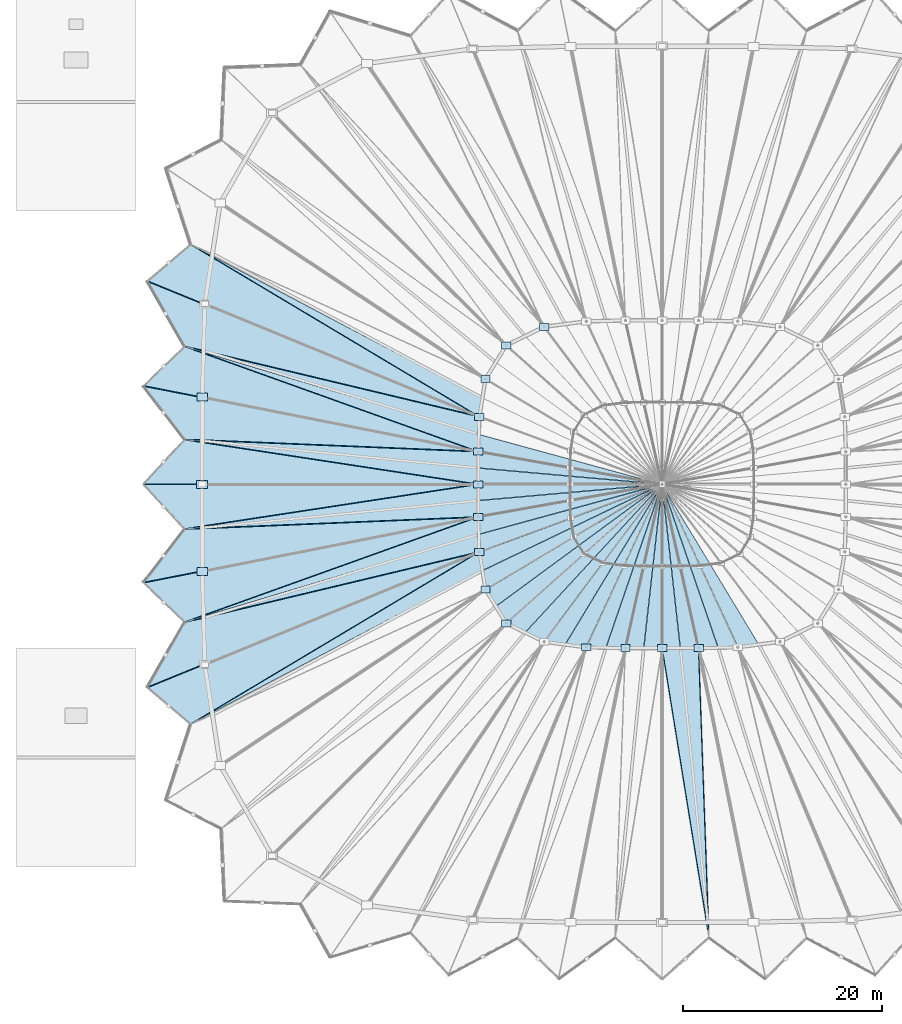
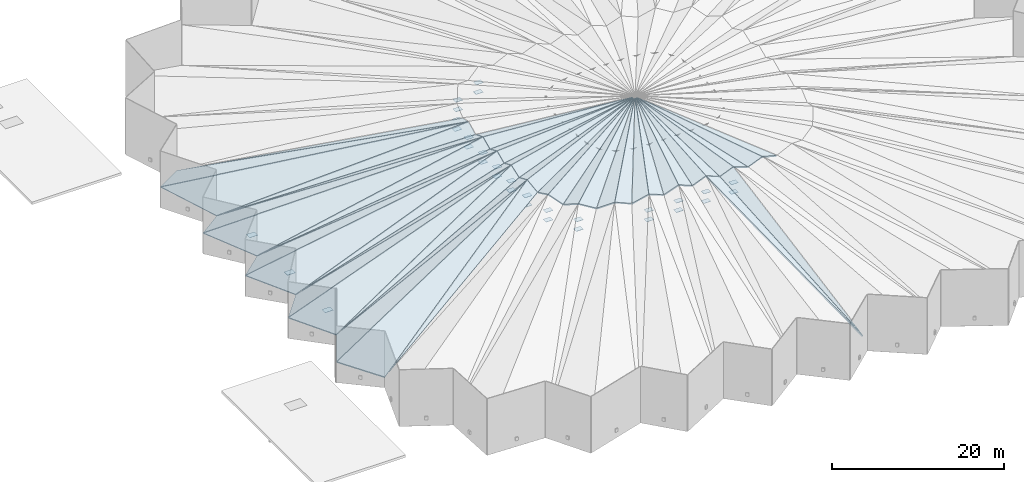
# One storey, part 29 of 41: 46 slabs, 31 plates.
"""IFC4 building model written with IfcOpenShell, lengths in metres."""

from ifc_helpers import new_model, si_unit, direction, frame, origin, origin_2d, place, context, subcontext, project, spatial, polyline, rectangle, outline, extrude, material, layer, layer_set, type_object, element, save


model = new_model("IFC4")

# Units and contexts
model_context = context("Model", 3, precision=1e-05, world=origin(), true_north=direction((0.0, 1.0)))
body_context = subcontext(model_context, "Body", "Model", "MODEL_VIEW")
ifc_project = project(units=[si_unit("LENGTHUNIT", "METRE"), si_unit("AREAUNIT", "SQUARE_METRE"), si_unit("VOLUMEUNIT", "CUBIC_METRE"), si_unit("PLANEANGLEUNIT", "RADIAN"), si_unit("MASSUNIT", "GRAM", prefix="KILO")], contexts=[model_context])

# Site, building, storey
site_placement = place(None, origin())
site = spatial("IfcSite", under=ifc_project, at=site_placement, CompositionType="ELEMENT")
building_placement = place(site_placement, origin())
building = spatial("IfcBuilding", under=site, at=building_placement, Name="Luwafu Chhajja Arena", CompositionType="ELEMENT")
storey_placement = place(building_placement, frame((0.0, 0.0, 29.699951171875)))
storey = spatial("IfcBuildingStorey", under=building, at=storey_placement, Name="RF", CompositionType="ELEMENT", Elevation=29.699951171875)

# Slabs
ifc_material_1 = material(Name="Precast concrete C40/50", Category="concrete")
ifc_layer_1 = layer(ifc_material_1, 0.14990234375, Name="Precast concrete C40/50")
ifc_layer_set_1 = layer_set([ifc_layer_1], Name="Precast concrete C40/50")
slab_type_1 = type_object("IfcSlabType", Name="Cable-Net Oculus Lightweight Roof Deck 150", PredefinedType="ROOF", material=ifc_layer_set_1)
slab_1_placement = place(storey_placement, frame((80.5703125, 54.5185546875, 6.908203125), z_axis=(0.00547318786, 0.392475323451, 0.919746250167), x_axis=(0.959214744966, -0.262011982217, 0.106098040578)))
element("IfcSlab", 1, at=slab_1_placement, inside=storey, type_object=slab_type_1, Name="Cable-Net Oculus Roof Panel 15OB", PredefinedType="ROOF", context=body_context, shape_type="SweptSolid", body=[
    extrude(outline(polyline([(0.0, 0.0), (18.878102522825447, 1.1102230246251565e-16), (0.48228186932920725, -1.81305914504829), (0.0, 0.0)])), origin(), (0.0, 0.0, -1.0), 0.14990234375),
])
slab_2_placement = place(storey_placement, frame((80.52001953125, 52.76318359375, 7.64404296875), z_axis=(-0.135900506909, -0.411780437345, 0.90109262767), x_axis=(0.982312584181, -0.174263138293, 0.068515294585)))
element("IfcSlab", 2, at=slab_2_placement, inside=storey, type_object=slab_type_1, Name="Cable-Net Oculus Roof Panel 16OA", PredefinedType="ROOF", context=body_context, shape_type="SweptSolid", body=[
    extrude(outline(polyline([(0.0, 0.0), (18.465026333242918, -4.440892098500626e-16), (0.22757186838997856, -1.7543758198881099), (0.0, 0.0)])), origin(), (0.0, 0.0, -1.0), 0.14990234375),
])
slab_3_placement = place(storey_placement, frame((80.517578125, 51.124267578125, 6.908447265625), z_axis=(-0.063288046732, 0.415072202615, 0.907584535874), x_axis=(0.99013102877, -0.087826897864, 0.109210722359)))
element("IfcSlab", 3, at=slab_3_placement, inside=storey, type_object=slab_type_1, Name="Cable-Net Oculus Roof Panel 16OB", PredefinedType="ROOF", context=body_context, shape_type="SweptSolid", body=[
    extrude(outline(polyline([(0.0, 0.0), (18.324397640619576, 1.1102230246251565e-16), (0.21904897133598988, -1.7560105143744689), (0.0, 0.0)])), origin(), (0.0, 0.0, -1.0), 0.14990234375),
])
slab_4_placement = place(storey_placement, frame((80.514892578125, 49.485107421875, 7.644287109375), z_axis=(-0.063288046732, -0.415072202615, 0.907584535874), x_axis=(0.997577527363, 0.0, 0.069563473897)))
element("IfcSlab", 4, at=slab_4_placement, inside=storey, type_object=slab_type_1, Name="Cable-Net Oculus Roof Panel 17OA", PredefinedType="ROOF", context=body_context, shape_type="SweptSolid", body=[
    extrude(outline(polyline([(0.0, 0.0), (18.190305752321002, 1.1102230246251565e-16), (-0.04850853455169257, -1.7689551437254394), (0.0, 0.0)])), origin(), (0.0, 0.0, -1.0), 0.14990234375),
])
slab_5_placement = place(storey_placement, frame((80.517578125, 47.845703125, 6.908447265625), z_axis=(-0.135900506909, 0.411780437345, 0.90109262767), x_axis=(0.990133349088, 0.087813454956, 0.109200495199)))
element("IfcSlab", 5, at=slab_5_placement, inside=storey, type_object=slab_type_1, Name="Cable-Net Oculus Roof Panel 17OB", PredefinedType="ROOF", context=body_context, shape_type="SweptSolid", body=[
    extrude(outline(polyline([(0.0, 0.0), (18.321642390216887, -2.220446049250313e-16), (-0.05853716861149626, -1.768105447246157), (0.0, 0.0)])), origin(), (0.0, 0.0, -1.0), 0.14990234375),
])
slab_6_placement = place(storey_placement, frame((80.5205078125, 46.206298828125, 7.64453125), z_axis=(0.00547318786, -0.392475323451, 0.919746250167), x_axis=(0.98231038407, 0.174273418727, 0.068520689379)))
element("IfcSlab", 6, at=slab_6_placement, inside=storey, type_object=slab_type_1, Name="Cable-Net Oculus Roof Panel 18OA", PredefinedType="ROOF", context=body_context, shape_type="SweptSolid", body=[
    extrude(outline(polyline([(0.0, 0.0), (18.484950662066755, 3.885780586188048e-16), (-0.302126167998403, -1.8516206532487998), (0.0, 0.0)])), origin(), (0.0, 0.0, -1.0), 0.14990234375),
])
slab_7_placement = place(storey_placement, frame((80.5712890625, 44.450439453125, 6.908203125), z_axis=(-0.203476377607, 0.379405244912, 0.902579095641), x_axis=(0.959211475435, 0.262023010062, 0.10610036565)))
element("IfcSlab", 7, at=slab_7_placement, inside=storey, type_object=slab_type_1, Name="Cable-Net Oculus Roof Panel 18OB", PredefinedType="ROOF", context=body_context, shape_type="SweptSolid", body=[
    extrude(outline(polyline([(0.0, 0.0), (18.87078572588229, 5.551115123125783e-16), (-0.3254190260449908, -1.8469014641178587), (0.0, 0.0)])), origin(), (0.0, 0.0, -1.0), 0.14990234375),
])
slab_8_placement = place(storey_placement, frame((80.623779296875, 42.6953125, 7.64501953125), z_axis=(0.066617737869, -0.357203291346, 0.93164794083), x_axis=(0.936011865229, 0.345791605933, 0.065650235458)))
element("IfcSlab", 8, at=slab_8_placement, inside=storey, type_object=slab_type_1, Name="Cable-Net Oculus Roof Panel 19OA", PredefinedType="ROOF", context=body_context, shape_type="SweptSolid", body=[
    extrude(outline(polyline([(0.0, 0.0), (19.31920789066764, -6.106226635438361e-16), (-0.4073061738520643, -1.9882484248027403), (0.0, 0.0)])), origin(), (0.0, 0.0, -1.0), 0.14990234375),
])
slab_9_placement = place(storey_placement, frame((80.9345703125, 40.798583984375, 6.90771484375), z_axis=(-0.256169574434, 0.318708073796, 0.912580030919), x_axis=(0.896638482247, 0.431053686903, 0.101154096118)))
element("IfcSlab", 9, at=slab_9_placement, inside=storey, type_object=slab_type_1, Name="Cable-Net Oculus Roof Panel 19OB", PredefinedType="ROOF", context=body_context, shape_type="SweptSolid", body=[
    extrude(outline(polyline([(0.0, 0.0), (19.817671738606244, 9.992007221626409e-16), (-0.4555029679633833, -1.9766752891986261), (0.0, 0.0)])), origin(), (0.0, 0.0, -1.0), 0.14990234375),
])
slab_10_placement = place(storey_placement, frame((81.24951171875, 38.904296875, 7.645263671875), z_axis=(0.130190017931, -0.332259951971, 0.934159452956), x_axis=(0.857360759471, 0.510938711978, 0.062242756383)))
element("IfcSlab", 10, at=slab_10_placement, inside=storey, type_object=slab_type_1, Name="Cable-Net Oculus Roof Panel 20OA", PredefinedType="ROOF", context=body_context, shape_type="SweptSolid", body=[
    extrude(outline(polyline([(0.0, 0.0), (20.400372098235927, 1.2212453270876722e-15), (-0.020695135304094857, -2.096695600206359), (0.0, 0.0)])), origin(), (0.0, 0.0, -1.0), 0.14990234375),
])
slab_11_placement = place(storey_placement, frame((82.29150390625, 37.205810546875, 6.9072265625), z_axis=(-0.285713376686, 0.234659713715, 0.929140831705), x_axis=(0.802016137981, 0.589240230102, 0.097806265889)))
element("IfcSlab", 11, at=slab_11_placement, inside=storey, type_object=slab_type_1, Name="Cable-Net Oculus Roof Panel 20OB", PredefinedType="ROOF", context=body_context, shape_type="SweptSolid", body=[
    extrude(outline(polyline([(0.0, 0.0), (20.525968772360596, 1.887379141862766e-15), (-0.09021988051217014, -2.094660912716655), (0.0, 0.0)])), origin(), (0.0, 0.0, -1.0), 0.14990234375),
])
slab_12_placement = place(storey_placement, frame((83.34130859375, 35.513916015625, 7.645263671875), z_axis=(0.208261169996, -0.318775201548, 0.92466732177), x_axis=(0.744888141313, 0.664370200304, 0.061269028703)))
element("IfcSlab", 12, at=slab_12_placement, inside=storey, type_object=slab_type_1, Name="Cable-Net Oculus Roof Panel 21OA", PredefinedType="ROOF", context=body_context, shape_type="SweptSolid", body=[
    extrude(outline(polyline([(0.0, 0.0), (20.72458822177206, 1.942890293094024e-15), (0.7435610782854656, -2.085056907600742), (0.0, 0.0)])), origin(), (0.0, 0.0, -1.0), 0.14990234375),
])
slab_13_placement = place(storey_placement, frame((85.244873046875, 34.584716796875, 6.9072265625), z_axis=(-0.299148482284, 0.147394003246, 0.942754047116), x_axis=(0.675085835231, 0.730939090658, 0.099935783472)))
element("IfcSlab", 13, at=slab_13_placement, inside=storey, type_object=slab_type_1, Name="Cable-Net Oculus Roof Panel 21OB", PredefinedType="ROOF", context=body_context, shape_type="SweptSolid", body=[
    extrude(outline(polyline([(0.0, 0.0), (20.09835568500134, 6.661338147750939e-16), (0.6710419579323803, -2.110441655607031), (0.0, 0.0)])), origin(), (0.0, 0.0, -1.0), 0.14990234375),
])
slab_14_placement = place(storey_placement, frame((87.153076171875, 33.66162109375, 7.645263671875), z_axis=(0.284869479915, -0.287824835594, 0.914333770255), x_axis=(0.598307072973, 0.798626680224, 0.064992861647)))
element("IfcSlab", 14, at=slab_14_placement, inside=storey, type_object=slab_type_1, Name="Cable-Net Oculus Roof Panel 22OA", PredefinedType="ROOF", context=body_context, shape_type="SweptSolid", body=[
    extrude(outline(polyline([(0.0, 0.0), (19.518369484758203, 6.661338147750939e-16), (0.9862342511574641, -2.0061723217351393), (0.0, 0.0)])), origin(), (0.0, 0.0, -1.0), 0.14990234375),
])
slab_15_placement = place(storey_placement, frame((89.2783203125, 33.384521484375, 6.907470703125), z_axis=(-0.322770200464, 0.075715794519, 0.943443965561), x_axis=(0.514216053582, 0.850879739253, 0.107636051431)))
element("IfcSlab", 15, at=slab_15_placement, inside=storey, type_object=slab_type_1, Name="Cable-Net Oculus Roof Panel 22OB", PredefinedType="ROOF", context=body_context, shape_type="SweptSolid", body=[
    extrude(outline(polyline([(0.0, 0.0), (18.65371753526713, -6.661338147750939e-16), (0.9241918560442257, -2.037181419984506), (0.0, 0.0)])), origin(), (0.0, 0.0, -1.0), 0.14990234375),
])
slab_16_placement = place(storey_placement, frame((91.40478515625, 33.110107421875, 7.64501953125), z_axis=(0.341597065853, -0.230294133254, 0.911194851165), x_axis=(0.420134075553, 0.90466916484, 0.071141132593)))
element("IfcSlab", 16, at=slab_16_placement, inside=storey, type_object=slab_type_1, Name="Cable-Net Oculus Roof Panel 23OA", PredefinedType="ROOF", context=body_context, shape_type="SweptSolid", body=[
    extrude(outline(polyline([(0.0, 0.0), (17.821226896768845, -6.661338147750939e-16), (0.7202170115807652, -1.942640094566498), (0.0, 0.0)])), origin(), (0.0, 0.0, -1.0), 0.14990234375),
])
slab_17_placement = place(storey_placement, frame((93.3720703125, 33.064453125, 6.907958984375), z_axis=(-0.35560875136, 0.006204393023, 0.934614316958), x_axis=(0.322564030961, 0.939351485557, 0.116495633017)))
element("IfcSlab", 17, at=slab_17_placement, inside=storey, type_object=slab_type_1, Name="Cable-Net Oculus Roof Panel 23OB", PredefinedType="ROOF", context=body_context, shape_type="SweptSolid", body=[
    extrude(outline(polyline([(0.0, 0.0), (17.220418170770536, 6.661338147750939e-16), (0.6687349881593382, -1.9622492747723759), (0.0, 0.0)])), origin(), (0.0, 0.0, -1.0), 0.14990234375),
])
slab_18_placement = place(storey_placement, frame((95.33984375, 33.019287109375, 7.64501953125), z_axis=(0.372907090144, -0.154707406568, 0.914880276579), x_axis=(0.217049528514, 0.973189923, 0.076097805114)))
element("IfcSlab", 18, at=slab_18_placement, inside=storey, type_object=slab_type_1, Name="Cable-Net Oculus Roof Panel 24OA", PredefinedType="ROOF", context=body_context, shape_type="SweptSolid", body=[
    extrude(outline(polyline([(0.0, 0.0), (16.65401495454123, 3.3306690738754696e-16), (0.33406242105565936, -1.923086765370859), (0.0, 0.0)])), origin(), (0.0, 0.0, -1.0), 0.14990234375),
])
slab_19_placement = place(storey_placement, frame((97.177490234375, 33.01708984375, 6.907958984375), z_axis=(-0.376767997162, -0.072191778105, 0.923490240061), x_axis=(0.109978580481, 0.986420525744, 0.121980564953)))
element("IfcSlab", 19, at=slab_19_placement, inside=storey, type_object=slab_type_1, Name="Cable-Net Oculus Roof Panel 24OB", PredefinedType="ROOF", context=body_context, shape_type="SweptSolid", body=[
    extrude(outline(polyline([(0.0, 0.0), (16.436084004610596, -1.1102230246251565e-16), (0.2865685867458694, -1.9310570607368354), (0.0, 0.0)])), origin(), (0.0, 0.0, -1.0), 0.14990234375),
])
slab_20_placement = place(storey_placement, frame((99.014892578125, 33.014892578125, 7.645263671875), z_axis=(0.376767997162, -0.072191778105, 0.923490240061), x_axis=(0.0, 0.996958443126, 0.077934990089)))
element("IfcSlab", 20, at=slab_20_placement, inside=storey, type_object=slab_type_1, Name="Cable-Net Oculus Roof Panel 25OA", PredefinedType="ROOF", context=body_context, shape_type="SweptSolid", body=[
    extrude(outline(polyline([(0.0, 0.0), (16.26455746719449, -5.551115123125783e-17), (-0.05527125099589944, -1.951422049569098), (0.0, 0.0)])), origin(), (0.0, 0.0, -1.0), 0.14990234375),
])
slab_21_placement = place(storey_placement, frame((100.852783203125, 33.01708984375, 6.907958984375), z_axis=(-0.372907090144, -0.154707406568, 0.914880276579), x_axis=(-0.109985254656, 0.986420502889, 0.121974731964)))
element("IfcSlab", 21, at=slab_21_placement, inside=storey, type_object=slab_type_1, Name="Cable-Net Oculus Roof Panel 25OB", PredefinedType="ROOF", context=body_context, shape_type="SweptSolid", body=[
    extrude(outline(polyline([(0.0, 0.0), (16.432866864986362, 0.0), (-0.10671419431027769, -1.9489670312857605), (0.0, 0.0)])), origin(), (0.0, 0.0, -1.0), 0.14990234375),
])
slab_22_placement = place(storey_placement, frame((102.69091796875, 33.019775390625, 7.645263671875), z_axis=(0.35560875136, 0.006204393023, 0.934614316958), x_axis=(-0.21704849036, 0.973188129268, 0.076123701201)))
element("IfcSlab", 22, at=slab_22_placement, inside=storey, type_object=slab_type_1, Name="Cable-Net Oculus Roof Panel 26OA", PredefinedType="ROOF", context=body_context, shape_type="SweptSolid", body=[
    extrude(outline(polyline([(0.0, 0.0), (16.667592459436936, -3.885780586188048e-16), (-0.4330719903526935, -2.027332570622083), (0.0, 0.0)])), origin(), (0.0, 0.0, -1.0), 0.14990234375),
])
slab_23_placement = place(storey_placement, frame((104.659423828125, 33.065185546875, 6.907958984375), z_axis=(-0.341597065853, -0.230294133254, 0.911194851165), x_axis=(-0.322556208407, 0.939355058574, 0.116488481615)))
element("IfcSlab", 23, at=slab_23_placement, inside=storey, type_object=slab_type_1, Name="Cable-Net Oculus Roof Panel 26OB", PredefinedType="ROOF", context=body_context, shape_type="SweptSolid", body=[
    extrude(outline(polyline([(0.0, 0.0), (17.210996183554215, 1.1102230246251565e-16), (-0.49634475578285997, -2.0115180745383605), (0.0, 0.0)])), origin(), (0.0, 0.0, -1.0), 0.14990234375),
])
slab_24_placement = place(storey_placement, frame((106.627685546875, 33.11181640625, 7.645751953125), z_axis=(0.322770200464, 0.075715794519, 0.943443965561), x_axis=(-0.42014853071, 0.904662743791, 0.071137417286)))
element("IfcSlab", 24, at=slab_24_placement, inside=storey, type_object=slab_type_1, Name="Cable-Net Oculus Roof Panel 27OA", PredefinedType="ROOF", context=body_context, shape_type="SweptSolid", body=[
    extrude(outline(polyline([(0.0, 0.0), (17.846181354792808, -8.881784197001252e-16), (-0.6856018586322798, -2.129363476757437), (0.0, 0.0)])), origin(), (0.0, 0.0, -1.0), 0.14990234375),
])

# Plates
ifc_material_2 = material(Name="Steel S355", Category="steel")
ifc_layer_2 = layer(ifc_material_2, 0.030029296875, Name="Steel S355")
ifc_layer_set_2 = layer_set([ifc_layer_2], Name="Steel S355")
plate_type_1 = type_object("IfcPlateType", Name="Inner Tension Ring Node Plate RN-2", PredefinedType="USERDEFINED", material=ifc_layer_set_2)
for number, where, z_axis, x_axis, name in (
    (25, (87.125732421875, 65.35009765625, 5.43505859375), (0.0, 0.0, 1.0), (1.0, 0.0, 0.0), "Inner Ring Upper Node Plate RN-2 12"),
    (26, (87.125732421875, 65.35009765625, 4.0849609375), (0.0, 0.0, 1.0), (1.0, 0.0, 0.0), "Inner Ring Lower Node Plate RN-2 12"),
    (27, (83.314453125, 63.48974609375, 5.43505859375), (0.0, 0.0, 1.0), (1.0, 0.0, 0.0), "Inner Ring Upper Node Plate RN-2 13"),
    (28, (83.314453125, 63.48974609375, 4.0849609375), (0.0, 0.0, 1.0), (1.0, 0.0, 0.0), "Inner Ring Lower Node Plate RN-2 13"),
    (29, (81.228759765625, 60.090576171875, 5.43505859375), (0.0, 0.0, 1.0), (1.0, 0.0, 0.0), "Inner Ring Upper Node Plate RN-2 14"),
    (30, (81.228759765625, 60.090576171875, 4.0849609375), (0.0, 0.0, 1.0), (1.0, 0.0, 0.0), "Inner Ring Lower Node Plate RN-2 14"),
    (31, (80.607177734375, 56.294921875, 5.43505859375), (0.0, 0.0, 1.0), (1.0, 0.0, 0.0), "Inner Ring Upper Node Plate RN-2 15"),
    (32, (80.607177734375, 56.294921875, 4.0849609375), (0.0, 0.0, 1.0), (1.0, 0.0, 0.0), "Inner Ring Lower Node Plate RN-2 15"),
    (33, (80.5048828125, 52.78125, 5.43505859375), (0.0, 0.0, 1.0), (1.0, 0.0, 0.0), "Inner Ring Upper Node Plate RN-2 16"),
    (34, (80.5048828125, 52.78125, 4.0849609375), (0.0, 0.0, 1.0), (1.0, 0.0, 0.0), "Inner Ring Lower Node Plate RN-2 16"),
    (35, (80.5, 49.5, 5.43505859375), (0.0, 0.0, 1.0), (1.0, 0.0, 0.0), "Inner Ring Upper Node Plate RN-2 17"),
    (36, (80.5, 49.5, 4.0849609375), (0.0, 0.0, 1.0), (1.0, 0.0, 0.0), "Inner Ring Lower Node Plate RN-2 17"),
    (37, (80.5048828125, 46.21875, 5.43505859375), (0.0, 0.0, 1.0), (1.0, 0.0, 0.0), "Inner Ring Upper Node Plate RN-2 18"),
    (38, (80.5048828125, 46.21875, 4.0849609375), (0.0, 0.0, 1.0), (1.0, 0.0, 0.0), "Inner Ring Lower Node Plate RN-2 18"),
    (39, (80.607177734375, 42.705078125, 5.43505859375), (0.0, 0.0, 1.0), (1.0, 0.0, 0.0), "Inner Ring Upper Node Plate RN-2 19"),
    (40, (80.607177734375, 42.705078125, 4.0849609375), (0.0, 0.0, 1.0), (1.0, 0.0, 0.0), "Inner Ring Lower Node Plate RN-2 19"),
    (41, (81.228759765625, 38.909423828125, 5.43505859375), (0.0, 0.0, 1.0), (1.0, 0.0, 0.0), "Inner Ring Upper Node Plate RN-2 20"),
    (42, (81.228759765625, 38.909423828125, 4.0849609375), (0.0, 0.0, 1.0), (1.0, 0.0, 0.0), "Inner Ring Lower Node Plate RN-2 20"),
    (43, (83.314453125, 35.51025390625, 5.43505859375), (0.0, 0.0, 1.0), (1.0, 0.0, 0.0), "Inner Ring Upper Node Plate RN-2 21"),
    (44, (83.314453125, 35.51025390625, 4.0849609375), (0.0, 0.0, 1.0), (1.0, 0.0, 0.0), "Inner Ring Lower Node Plate RN-2 21"),
    (45, (91.38134765625, 33.095458984375, 5.43505859375), (0.0, 0.0, 1.0), (1.0, 0.0, 0.0), "Inner Ring Upper Node Plate RN-2 23"),
    (46, (91.38134765625, 33.095458984375, 4.0849609375), (0.0, 0.0, 1.0), (1.0, 0.0, 0.0), "Inner Ring Lower Node Plate RN-2 23"),
    (47, (95.321044921875, 33.00439453125, 5.43505859375), (0.0, 0.0, 1.0), (1.0, 0.0, 0.0), "Inner Ring Upper Node Plate RN-2 24"),
    (48, (95.321044921875, 33.00439453125, 4.0849609375), (0.0, 0.0, 1.0), (1.0, 0.0, 0.0), "Inner Ring Lower Node Plate RN-2 24"),
    (49, (99.0, 33.0, 5.43505859375), (0.0, 0.0, 1.0), (1.0, 0.0, 0.0), "Inner Ring Upper Node Plate RN-2 25"),
    (50, (99.0, 33.0, 4.0849609375), (0.0, 0.0, 1.0), (1.0, 0.0, 0.0), "Inner Ring Lower Node Plate RN-2 25"),
    (51, (102.678955078125, 33.00439453125, 5.43505859375), (0.0, 0.0, 1.0), (1.0, 0.0, 0.0), "Inner Ring Upper Node Plate RN-2 26"),
    (52, (102.678955078125, 33.00439453125, 4.0849609375), (0.0, 0.0, 1.0), (1.0, 0.0, 0.0), "Inner Ring Lower Node Plate RN-2 26"),
):
    element("IfcPlate", number, at=place(storey_placement, frame(where, z_axis=z_axis, x_axis=x_axis)), inside=storey, type_object=plate_type_1, Name=name, ObjectType="GUSSET PLATE", PredefinedType="USERDEFINED", context=body_context, shape_type="SweptSolid", body=[
        extrude(rectangle(XDim=0.949951171875, YDim=0.699951171875, at=origin_2d()), origin(), (0.0, 0.0, 1.0), 0.030029296875),
    ])
ifc_layer_3 = layer(ifc_material_2, 0.031982421875, Name="Steel S355")
ifc_layer_set_3 = layer_set([ifc_layer_3], Name="Steel S355")
plate_type_2 = type_object("IfcPlateType", Name="Ring Beam Kink Node Gusset Plate RN-1", PredefinedType="USERDEFINED", material=ifc_layer_set_3)
for number, where, z_axis, x_axis, name in (
    (53, (52.71240234375, 58.269775390625, 0.1640625), (0.0, 0.0, 1.0), (1.0, 0.0, 0.0), "Outer Ring Node Gusset Plate RN-1 16"),
    (54, (52.699951171875, 49.5, 0.1640625), (0.0, 0.0, 1.0), (1.0, 0.0, 0.0), "Outer Ring Node Gusset Plate RN-1 17"),
    (55, (52.71240234375, 40.730224609375, 0.1640625), (0.0, 0.0, 1.0), (1.0, 0.0, 0.0), "Outer Ring Node Gusset Plate RN-1 18"),
):
    element("IfcPlate", number, at=place(storey_placement, frame(where, z_axis=z_axis, x_axis=x_axis)), inside=storey, type_object=plate_type_2, Name=name, ObjectType="GUSSET PLATE", PredefinedType="USERDEFINED", context=body_context, shape_type="SweptSolid", body=[
        extrude(rectangle(XDim=1.10009765625, YDim=0.800048828125, at=origin_2d()), origin(), (0.0, 0.0, 1.0), 0.031982421875),
    ])

# Slabs
ifc_layer_4 = layer(ifc_material_1, 0.179931640625, Name="Precast concrete C40/50")
ifc_layer_set_4 = layer_set([ifc_layer_4], Name="Precast concrete C40/50")
slab_type_2 = type_object("IfcSlabType", Name="White Folded Bowl Roof Panel 180", PredefinedType="ROOF", material=ifc_layer_set_4)
slab_25_placement = place(storey_placement, frame((51.49853515625, 73.645751953125, 0.412841796875), z_axis=(-0.008979229761, 0.372079845731, 0.928157293692), x_axis=(0.839605849032, -0.501337853295, 0.209098960122)))
element("IfcSlab", 56, at=slab_25_placement, inside=storey, type_object=slab_type_2, Name="White Folded Bowl Roof Panel 14B1", PredefinedType="ROOF", context=body_context, shape_type="SweptSolid", body=[
    extrude(outline(polyline([(0.0, 0.0), (34.30128622861719, -1.7763568394002505e-15), (-1.4743926861991823, -5.660510412919769), (0.0, 0.0)])), origin(), (0.0, 0.0, -1.0), 0.179931640625),
])
slab_26_placement = place(storey_placement, frame((52.33837890625, 73.204833984375, 0.597900390625), z_axis=(-0.011055503646, 0.369083721224, 0.929330394729), x_axis=(0.868484272299, -0.457082132553, 0.19186191094)))
element("IfcSlab", 57, at=slab_26_placement, inside=storey, type_object=slab_type_2, Name="White Folded Bowl Roof Panel 14B2", PredefinedType="ROOF", context=body_context, shape_type="SweptSolid", body=[
    extrude(outline(polyline([(0.0, 0.0), (32.87454511414774, 1.1102230246251565e-15), (33.59384792708732, -1.8693972571224444), (0.0, 0.0)])), origin(), (0.0, 0.0, -1.0), 0.179931640625),
])
slab_27_placement = place(storey_placement, frame((47.197265625, 69.902587890625, 1.8486328125), z_axis=(-0.302446778126, -0.367668357896, 0.879400889813), x_axis=(0.914166843671, -0.373100414134, 0.158414213081)))
element("IfcSlab", 58, at=slab_27_placement, inside=storey, type_object=slab_type_2, Name="White Folded Bowl Roof Panel 15A1", PredefinedType="ROOF", context=body_context, shape_type="SweptSolid", body=[
    extrude(outline(polyline([(0.0, 0.0), (36.192449692384656, 1.3322676295501878e-15), (5.590264774821287, -5.165186027808828), (0.0, 0.0)])), origin(), (0.0, 0.0, -1.0), 0.179931640625),
])
slab_28_placement = place(storey_placement, frame((51.800048828125, 63.15185546875, 0.609130859375), z_axis=(-0.302361183208, -0.366897562931, 0.879752177152), x_axis=(0.9463268954, -0.226127856101, 0.230936354302)))
element("IfcSlab", 59, at=slab_28_placement, inside=storey, type_object=slab_type_2, Name="White Folded Bowl Roof Panel 15A2", PredefinedType="ROOF", context=body_context, shape_type="SweptSolid", body=[
    extrude(outline(polyline([(0.0, 0.0), (30.412870772281405, 4.440892098500626e-16), (30.582972187896765, -1.8434337212903502), (0.0, 0.0)])), origin(), (0.0, 0.0, -1.0), 0.179931640625),
])
slab_29_placement = place(storey_placement, frame((50.9033203125, 63.364501953125, 0.4140625), z_axis=(-0.076159084034, 0.408798622505, 0.909441301106), x_axis=(0.917295623788, -0.328809055763, 0.224618217043)))
element("IfcSlab", 60, at=slab_29_placement, inside=storey, type_object=slab_type_2, Name="White Folded Bowl Roof Panel 15B1", PredefinedType="ROOF", context=body_context, shape_type="SweptSolid", body=[
    extrude(outline(polyline([(0.0, 0.0), (31.907439573979907, 4.440892098500626e-16), (-2.1385669354018773, -5.4685668504961225), (0.0, 0.0)])), origin(), (0.0, 0.0, -1.0), 0.179931640625),
])
slab_30_placement = place(storey_placement, frame((51.811767578125, 63.093994140625, 0.612060546875), z_axis=(-0.083195208522, 0.393385936819, 0.915601475529), x_axis=(0.937739982196, -0.280013764992, 0.205514031651)))
element("IfcSlab", 61, at=slab_30_placement, inside=storey, type_object=slab_type_2, Name="White Folded Bowl Roof Panel 15B2", PredefinedType="ROOF", context=body_context, shape_type="SweptSolid", body=[
    extrude(outline(polyline([(0.0, 0.0), (30.624192038407422, 4.440892098500626e-16), (31.20349786566699, -1.7571369847452938), (0.0, 0.0)])), origin(), (0.0, 0.0, -1.0), 0.179931640625),
])
slab_31_placement = place(storey_placement, frame((46.812744140625, 59.357421875, 1.84814453125), z_axis=(-0.232545466012, -0.415631522995, 0.879302589175), x_axis=(0.967672011674, -0.189638497156, 0.166277233014)))
element("IfcSlab", 62, at=slab_31_placement, inside=storey, type_object=slab_type_2, Name="White Folded Bowl Roof Panel 16A1", PredefinedType="ROOF", context=body_context, shape_type="SweptSolid", body=[
    extrude(outline(polyline([(0.0, 0.0), (34.466276154405655, 0.0), (4.730478006439729, -4.9724736910036995), (0.0, 0.0)])), origin(), (0.0, 0.0, -1.0), 0.179931640625),
])
slab_32_placement = place(storey_placement, frame((51.83251953125, 53.946533203125, 0.61865234375), z_axis=(-0.233327211876, -0.40400004587, 0.884501201319), x_axis=(0.970525221868, -0.040322752238, 0.237602334521)))
element("IfcSlab", 63, at=slab_32_placement, inside=storey, type_object=slab_type_2, Name="White Folded Bowl Roof Panel 16A2", PredefinedType="ROOF", context=body_context, shape_type="SweptSolid", body=[
    extrude(outline(polyline([(0.0, 0.0), (29.516475955011185, 0.0), (29.405704183010204, -1.741631904116645), (0.0, 0.0)])), origin(), (0.0, 0.0, -1.0), 0.179931640625),
])
slab_33_placement = place(storey_placement, frame((50.901123046875, 53.98388671875, 0.4150390625), z_axis=(-0.152837223269, 0.428210696302, 0.890660643992), x_axis=(0.960838159378, -0.146413739268, 0.23527228574)))
element("IfcSlab", 64, at=slab_33_placement, inside=storey, type_object=slab_type_2, Name="White Folded Bowl Roof Panel 16B1", PredefinedType="ROOF", context=body_context, shape_type="SweptSolid", body=[
    extrude(outline(polyline([(0.0, 0.0), (30.448015567285257, 4.440892098500626e-16), (-2.989640108380904, -5.490094824963783), (0.0, 0.0)])), origin(), (0.0, 0.0, -1.0), 0.179931640625),
])
slab_34_placement = place(storey_placement, frame((51.83740234375, 53.893798828125, 0.61962890625), z_axis=(-0.157304129906, 0.410787097168, 0.898058668192), x_axis=(0.972393509464, -0.094283359561, 0.213451425065)))
element("IfcSlab", 65, at=slab_34_placement, inside=storey, type_object=slab_type_2, Name="White Folded Bowl Roof Panel 16B2", PredefinedType="ROOF", context=body_context, shape_type="SweptSolid", body=[
    extrude(outline(polyline([(0.0, 0.0), (29.452232946349703, 0.0), (29.75428074970904, -1.718259365819652), (0.0, 0.0)])), origin(), (0.0, 0.0, -1.0), 0.179931640625),
])
slab_35_placement = place(storey_placement, frame((46.759521484375, 49.47412109375, 1.84765625), z_axis=(-0.152837223269, -0.428210696302, 0.890660643992), x_axis=(0.985594130068, 0.0, 0.169127794212)))
element("IfcSlab", 66, at=slab_35_placement, inside=storey, type_object=slab_type_2, Name="White Folded Bowl Roof Panel 17A1", PredefinedType="ROOF", context=body_context, shape_type="SweptSolid", body=[
    extrude(outline(polyline([(0.0, 0.0), (33.885364957035705, 0.0), (3.8396428042095327, -4.933176694668036), (0.0, 0.0)])), origin(), (0.0, 0.0, -1.0), 0.179931640625),
])
slab_36_placement = place(storey_placement, frame((51.83740234375, 45.106201171875, 0.61962890625), z_axis=(-0.157304129906, -0.410787097168, 0.898058668192), x_axis=(0.960839492776, 0.146408097926, 0.235270350839)))
element("IfcSlab", 67, at=slab_36_placement, inside=storey, type_object=slab_type_2, Name="White Folded Bowl Roof Panel 17A2", PredefinedType="ROOF", context=body_context, shape_type="SweptSolid", body=[
    extrude(outline(polyline([(0.0, 0.0), (29.803852740555755, 0.0), (29.40324579577084, -1.6979876912190055), (0.0, 0.0)])), origin(), (0.0, 0.0, -1.0), 0.179931640625),
])
slab_37_placement = place(storey_placement, frame((50.90478515625, 44.962890625, 0.41552734375), z_axis=(-0.232545466012, 0.415631522995, 0.879302589175), x_axis=(0.970523593505, 0.040327474536, 0.237608184304)))
element("IfcSlab", 68, at=slab_37_placement, inside=storey, type_object=slab_type_2, Name="White Folded Bowl Roof Panel 17B1", PredefinedType="ROOF", context=body_context, shape_type="SweptSolid", body=[
    extrude(outline(polyline([(0.0, 0.0), (30.148684649654246, 4.440892098500626e-16), (-3.845575549395973, -5.68458138045554), (0.0, 0.0)])), origin(), (0.0, 0.0, -1.0), 0.179931640625),
])
slab_38_placement = place(storey_placement, frame((51.83251953125, 45.053466796875, 0.61865234375), z_axis=(-0.233327211876, 0.40400004587, 0.884501201319), x_axis=(0.972394134546, 0.094283924063, 0.213448328087)))
element("IfcSlab", 69, at=slab_38_placement, inside=storey, type_object=slab_type_2, Name="White Folded Bowl Roof Panel 17B2", PredefinedType="ROOF", context=body_context, shape_type="SweptSolid", body=[
    extrude(outline(polyline([(0.0, 0.0), (29.4572354471383, 0.0), (29.46484105799929, -1.745134444560831), (0.0, 0.0)])), origin(), (0.0, 0.0, -1.0), 0.179931640625),
])
slab_39_placement = place(storey_placement, frame((46.80419921875, 39.587890625, 1.847412109375), z_axis=(-0.076159084034, -0.408798622505, 0.909441301106), x_axis=(0.967672713181, 0.189634794839, 0.166277372939)))
element("IfcSlab", 70, at=slab_39_placement, inside=storey, type_object=slab_type_2, Name="White Folded Bowl Roof Panel 18A1", PredefinedType="ROOF", context=body_context, shape_type="SweptSolid", body=[
    extrude(outline(polyline([(0.0, 0.0), (34.48239815667135, -4.440892098500626e-16), (2.978762867219943, -5.060203920437484), (0.0, 0.0)])), origin(), (0.0, 0.0, -1.0), 0.179931640625),
])
slab_40_placement = place(storey_placement, frame((51.811767578125, 35.906005859375, 0.612060546875), z_axis=(-0.083195208522, -0.393385936819, 0.915601475529), x_axis=(0.917296724177, 0.328805079134, 0.22461954445)))
element("IfcSlab", 71, at=slab_40_placement, inside=storey, type_object=slab_type_2, Name="White Folded Bowl Roof Panel 18A2", PredefinedType="ROOF", context=body_context, shape_type="SweptSolid", body=[
    extrude(outline(polyline([(0.0, 0.0), (31.25293281335121, 8.881784197001252e-16), (30.575751613941307, -1.7217872248981418), (0.0, 0.0)])), origin(), (0.0, 0.0, -1.0), 0.179931640625),
])
slab_41_placement = place(storey_placement, frame((50.913818359375, 35.5830078125, 0.415283203125), z_axis=(-0.302446778126, 0.367668357896, 0.879400889813), x_axis=(0.946330262916, 0.226125866876, 0.230924502422)))
element("IfcSlab", 72, at=slab_41_placement, inside=storey, type_object=slab_type_2, Name="White Folded Bowl Roof Panel 18B1", PredefinedType="ROOF", context=body_context, shape_type="SweptSolid", body=[
    extrude(outline(polyline([(0.0, 0.0), (31.035026477040656, 0.0), (-4.6526517314935125, -6.023540389165632), (0.0, 0.0)])), origin(), (0.0, 0.0, -1.0), 0.179931640625),
])
slab_42_placement = place(storey_placement, frame((51.800048828125, 35.84814453125, 0.609130859375), z_axis=(-0.302361183208, 0.366897562931, 0.879752177152), x_axis=(0.937740950345, 0.280010681286, 0.205513815625)))
element("IfcSlab", 73, at=slab_42_placement, inside=storey, type_object=slab_type_2, Name="White Folded Bowl Roof Panel 18B2", PredefinedType="ROOF", context=body_context, shape_type="SweptSolid", body=[
    extrude(outline(polyline([(0.0, 0.0), (30.638479657621023, 8.881784197001252e-16), (30.357772036231673, -1.8298594502525773), (0.0, 0.0)])), origin(), (0.0, 0.0, -1.0), 0.179931640625),
])
slab_43_placement = place(storey_placement, frame((47.186279296875, 29.036865234375, 1.847412109375), z_axis=(-0.008979229761, -0.372079845731, 0.928157293692), x_axis=(0.914167805627, 0.373099041075, 0.158411895712)))
element("IfcSlab", 74, at=slab_43_placement, inside=storey, type_object=slab_type_2, Name="White Folded Bowl Roof Panel 19A1", PredefinedType="ROOF", context=body_context, shape_type="SweptSolid", body=[
    extrude(outline(polyline([(0.0, 0.0), (36.22072031242352, 2.220446049250313e-15), (2.3408915322290422, -5.360544632985453), (0.0, 0.0)])), origin(), (0.0, 0.0, -1.0), 0.179931640625),
])
slab_44_placement = place(storey_placement, frame((52.33837890625, 25.795166015625, 0.597900390625), z_axis=(-0.011055503646, -0.369083721224, 0.929330394729), x_axis=(0.839607024432, 0.501337743175, 0.209094504455)))
element("IfcSlab", 75, at=slab_44_placement, inside=storey, type_object=slab_type_2, Name="White Folded Bowl Roof Panel 19A2", PredefinedType="ROOF", context=body_context, shape_type="SweptSolid", body=[
    extrude(outline(polyline([(0.0, 0.0), (33.64582090918879, 2.220446049250313e-15), (32.82376352824371, -1.8265443613757122), (0.0, 0.0)])), origin(), (0.0, 0.0, -1.0), 0.179931640625),
])
slab_45_placement = place(storey_placement, frame((103.61962890625, 4.622802734375, 0.595947265625), z_axis=(0.372390401768, -0.166343220367, 0.91304727244), x_axis=(-0.155195744998, 0.958792162544, 0.237974514979)))
element("IfcSlab", 76, at=slab_45_placement, inside=storey, type_object=slab_type_2, Name="White Folded Bowl Roof Panel 25A2", PredefinedType="ROOF", context=body_context, shape_type="SweptSolid", body=[
    extrude(outline(polyline([(0.0, 0.0), (29.569826983317213, -1.3322676295501878e-15), (29.12165330586179, -1.8752248207633926), (0.0, 0.0)])), origin(), (0.0, 0.0, -1.0), 0.179931640625),
])
slab_46_placement = place(storey_placement, frame((103.67236328125, 4.61767578125, 0.594970703125), z_axis=(-0.366581211266, -0.236470001285, 0.899833403491), x_axis=(-0.096076316428, 0.971612109297, 0.216192623577)))
element("IfcSlab", 77, at=slab_46_placement, inside=storey, type_object=slab_type_2, Name="White Folded Bowl Roof Panel 25B2", PredefinedType="ROOF", context=body_context, shape_type="SweptSolid", body=[
    extrude(outline(polyline([(0.0, 0.0), (29.187205785906272, 0.0), (29.175176668263127, -1.928318006329783), (0.0, 0.0)])), origin(), (0.0, 0.0, -1.0), 0.179931640625),
])

save(model, "model.ifc")
